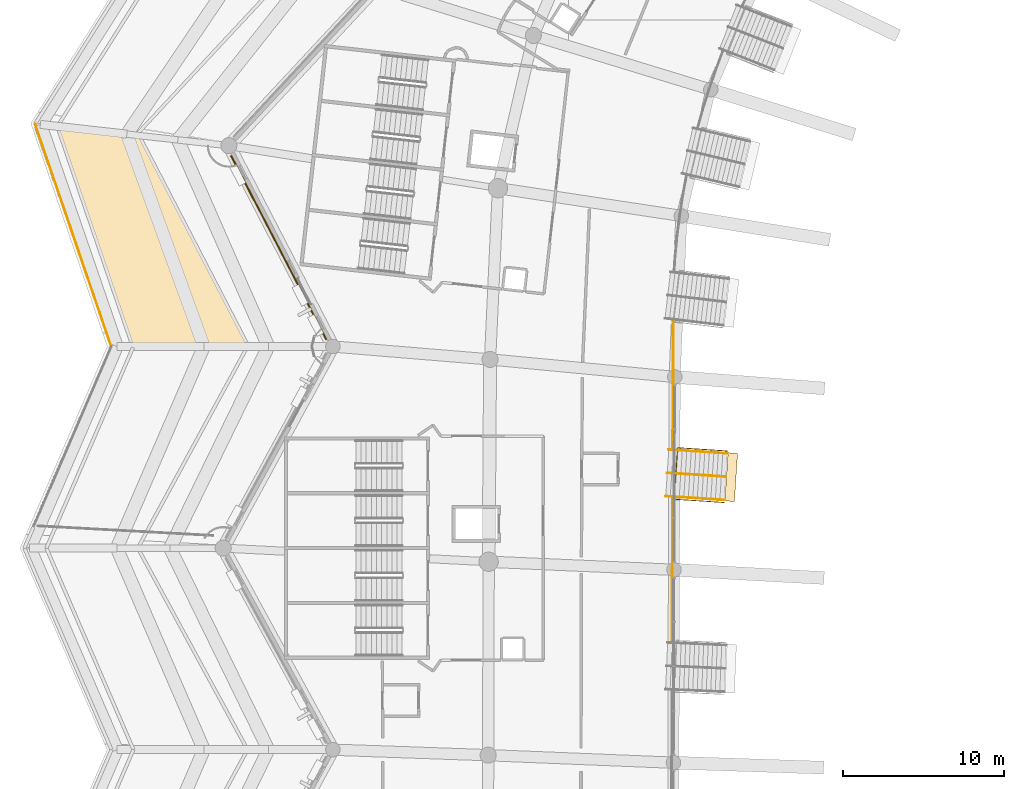
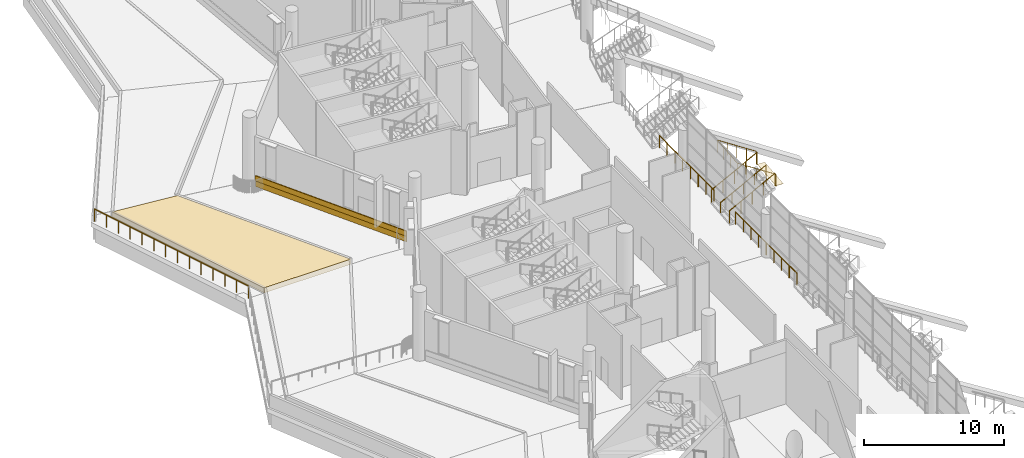
# One storey, part 145 of 173: 7 railings, 4 coverings.
"""IFC4 building model written with IfcOpenShell, lengths in metres."""

from ifc_helpers import new_model, si_unit, direction, frame, origin, origin_2d, place, context, subcontext, project, spatial, polyline, rectangle, circle, outline, extrude, material, layer, layer_set, type_object, element, save


model = new_model("IFC4")

# Units and contexts
model_context = context("Model", 3, precision=1e-05, world=origin(), true_north=direction((0.0, 1.0)))
body_context = subcontext(model_context, "Body", "Model", "MODEL_VIEW")
ifc_project = project(units=[si_unit("LENGTHUNIT", "METRE"), si_unit("AREAUNIT", "SQUARE_METRE"), si_unit("VOLUMEUNIT", "CUBIC_METRE"), si_unit("PLANEANGLEUNIT", "RADIAN"), si_unit("MASSUNIT", "GRAM", prefix="KILO")], contexts=[model_context])

# Site, building, storey
site_placement = place(None, origin())
site = spatial("IfcSite", under=ifc_project, at=site_placement, CompositionType="ELEMENT")
building_placement = place(site_placement, origin())
building = spatial("IfcBuilding", under=site, at=building_placement, Name="Meseta Stadium", CompositionType="ELEMENT")
storey_placement = place(building_placement, frame((0.0, 0.0, 18.0)))
storey = spatial("IfcBuildingStorey", under=building, at=storey_placement, Name="L03", CompositionType="ELEMENT", Elevation=18.0)

# Coverings
ifc_material_1 = material(Name="Guadarrama granite cladding", Category="masonry")
ifc_layer_1 = layer(ifc_material_1, 0.06005859375)
ifc_layer_set_1 = layer_set([ifc_layer_1], Name="Granite plinth cladding 60")
covering_type_1 = type_object("IfcCoveringType", Name="Granite plinth cladding 60", PredefinedType="CLADDING", material=ifc_layer_set_1)
covering_1_placement = place(storey_placement, frame((-97.951904296875, 49.8828125, 0.0), z_axis=(0.0, 0.0, 1.0), x_axis=(-0.46001538077, 0.887910946804, 0.0)))
element("IfcCovering", 1, at=covering_1_placement, inside=storey, type_object=covering_type_1, Name="Granite plinth L03 F28", PredefinedType="CLADDING", context=body_context, shape_type="SweptSolid", body=[
    extrude(rectangle(XDim=12.83544921875, YDim=0.06005859375, at=origin_2d()), origin(), (0.0, 0.0, 1.0), 0.5),
])
ifc_material_2 = material(Name="Planting soil")
ifc_layer_2 = layer(ifc_material_2, 0.449951171875)
ifc_layer_set_2 = layer_set([ifc_layer_2], Name="Planting soil 450")
covering_type_2 = type_object("IfcCoveringType", Name="Planting soil 450", PredefinedType="FLOORING", material=ifc_layer_set_2)
covering_2_placement = place(storey_placement, origin())
element("IfcCovering", 2, at=covering_2_placement, inside=storey, type_object=covering_type_2, Name="Roof garden planting bed 4.1 panel 03", PredefinedType="FLOORING", context=body_context, shape_type="SweptSolid", body=[
    extrude(outline(polyline([(-106.61328125, 56.82958984375), (-111.67919921875, 57.400390625), (-111.68310546875, 57.393798828125), (-107.0146484375, 43.75), (-99.8935546875, 43.75), (-99.864501953125, 43.80322265625), (-106.61328125, 56.82958984375)])), origin(), (0.0, 0.0, 1.0), 0.449951171875),
])

# Railings
ifc_material_3 = material(Name="Steel S355", Category="steel")
railing_type_1 = type_object("IfcRailingType", Name="Plate edge guard 1100", PredefinedType="GUARDRAIL", material=ifc_material_3)
railing_1_placement = place(storey_placement, frame((-73.48828125, 45.30859375, 0.0)))
element("IfcRailing", 3, at=railing_1_placement, inside=storey, type_object=railing_type_1, Name="L03 inner edge guard 30", PredefinedType="GUARDRAIL", context=body_context, shape_type="SweptSolid", body=[
    extrude(circle(Radius=0.02490234375, at=origin_2d()), frame((0.0, 0.0, 1.0751953125), z_axis=(-0.004512027757, -0.999989820751, 0.0), x_axis=(0.999989820751, -0.004512027757, 0.0)), (0.0, 0.0, 1.0), 7.845703125),
    extrude(circle(Radius=0.02001953125, at=origin_2d()), origin(), (0.0, 0.0, 1.0), 1.050048828125),
    extrude(circle(Radius=0.02001953125, at=origin_2d()), frame((-0.005126953125, -1.120849609375, 0.0)), (0.0, 0.0, 1.0), 1.050048828125),
    extrude(circle(Radius=0.02001953125, at=origin_2d()), frame((-0.010009765625, -2.24169921875, 0.0)), (0.0, 0.0, 1.0), 1.050048828125),
    extrude(circle(Radius=0.02001953125, at=origin_2d()), frame((-0.01513671875, -3.362548828125, 0.0)), (0.0, 0.0, 1.0), 1.050048828125),
    extrude(circle(Radius=0.02001953125, at=origin_2d()), frame((-0.020263671875, -4.483154296875, 0.0)), (0.0, 0.0, 1.0), 1.050048828125),
    extrude(circle(Radius=0.02001953125, at=origin_2d()), frame((-0.025390625, -5.60400390625, 0.0)), (0.0, 0.0, 1.0), 1.050048828125),
    extrude(circle(Radius=0.02001953125, at=origin_2d()), frame((-0.0302734375, -6.724853515625, 0.0)), (0.0, 0.0, 1.0), 1.050048828125),
    extrude(circle(Radius=0.02001953125, at=origin_2d()), frame((-0.035400390625, -7.845703125, 0.0)), (0.0, 0.0, 1.0), 1.050048828125),
])
railing_2_placement = place(storey_placement, frame((-73.535888671875, 34.31689453125, 0.0)))
element("IfcRailing", 4, at=railing_2_placement, inside=storey, type_object=railing_type_1, Name="L03 inner edge guard 31", PredefinedType="GUARDRAIL", context=body_context, shape_type="SweptSolid", body=[
    extrude(circle(Radius=0.02490234375, at=origin_2d()), frame((0.0, 0.0, 1.0751953125), z_axis=(-0.003239544414, -0.999994752662, 0.0), x_axis=(0.999994752662, -0.003239544414, 0.0)), (0.0, 0.0, 1.0), 8.8173828125),
    extrude(circle(Radius=0.02001953125, at=origin_2d()), origin(), (0.0, 0.0, 1.0), 1.050048828125),
    extrude(circle(Radius=0.02001953125, at=origin_2d()), frame((-0.003662109375, -1.10205078125, 0.0)), (0.0, 0.0, 1.0), 1.050048828125),
    extrude(circle(Radius=0.02001953125, at=origin_2d()), frame((-0.007080078125, -2.204345703125, 0.0)), (0.0, 0.0, 1.0), 1.050048828125),
    extrude(circle(Radius=0.02001953125, at=origin_2d()), frame((-0.0107421875, -3.306640625, 0.0)), (0.0, 0.0, 1.0), 1.050048828125),
    extrude(circle(Radius=0.02001953125, at=origin_2d()), frame((-0.01416015625, -4.40869140625, 0.0)), (0.0, 0.0, 1.0), 1.050048828125),
    extrude(circle(Radius=0.02001953125, at=origin_2d()), frame((-0.017822265625, -5.5107421875, 0.0)), (0.0, 0.0, 1.0), 1.050048828125),
    extrude(circle(Radius=0.02001953125, at=origin_2d()), frame((-0.021484375, -6.613037109375, 0.0)), (0.0, 0.0, 1.0), 1.050048828125),
    extrude(circle(Radius=0.02001953125, at=origin_2d()), frame((-0.02490234375, -7.71533203125, 0.0)), (0.0, 0.0, 1.0), 1.050048828125),
    extrude(circle(Radius=0.02001953125, at=origin_2d()), frame((-0.028564453125, -8.8173828125, 0.0)), (0.0, 0.0, 1.0), 1.050048828125),
])
ifc_material_4 = material(Name="Steel S355", Category="steel")
railing_type_2 = type_object("IfcRailingType", Name="Roof garden guard 1100", PredefinedType="GUARDRAIL", material=ifc_material_4)
railing_3_placement = place(storey_placement, frame((-108.332275390625, 43.739501953125, 0.0)))
element("IfcRailing", 5, at=railing_3_placement, inside=storey, type_object=railing_type_2, Name="Roof garden guard 4.21", PredefinedType="GUARDRAIL", context=body_context, shape_type="SweptSolid", body=[
    extrude(circle(Radius=0.02490234375, at=origin_2d()), frame((0.0, 0.0, 1.0751953125), z_axis=(-0.323736916721, 0.94614713906, 0.0), x_axis=(-0.94614713906, -0.323736916721, 0.0)), (0.0, 0.0, 1.0), 14.6015625),
    extrude(circle(Radius=0.02001953125, at=origin_2d()), origin(), (0.0, 0.0, 1.0), 1.050048828125),
    extrude(circle(Radius=0.02001953125, at=origin_2d()), frame((-0.363525390625, 1.062744140625, 0.0)), (0.0, 0.0, 1.0), 1.050048828125),
    extrude(circle(Radius=0.02001953125, at=origin_2d()), frame((-0.727294921875, 2.12548828125, 0.0)), (0.0, 0.0, 1.0), 1.050048828125),
    extrude(circle(Radius=0.02001953125, at=origin_2d()), frame((-1.0908203125, 3.188232421875, 0.0)), (0.0, 0.0, 1.0), 1.050048828125),
    extrude(circle(Radius=0.02001953125, at=origin_2d()), frame((-1.45458984375, 4.250732421875, 0.0)), (0.0, 0.0, 1.0), 1.050048828125),
    extrude(circle(Radius=0.02001953125, at=origin_2d()), frame((-1.818115234375, 5.3134765625, 0.0)), (0.0, 0.0, 1.0), 1.050048828125),
    extrude(circle(Radius=0.02001953125, at=origin_2d()), frame((-2.181640625, 6.376220703125, 0.0)), (0.0, 0.0, 1.0), 1.050048828125),
    extrude(circle(Radius=0.02001953125, at=origin_2d()), frame((-2.54541015625, 7.43896484375, 0.0)), (0.0, 0.0, 1.0), 1.050048828125),
    extrude(circle(Radius=0.02001953125, at=origin_2d()), frame((-2.908935546875, 8.501708984375, 0.0)), (0.0, 0.0, 1.0), 1.050048828125),
    extrude(circle(Radius=0.02001953125, at=origin_2d()), frame((-3.2724609375, 9.564453125, 0.0)), (0.0, 0.0, 1.0), 1.050048828125),
    extrude(circle(Radius=0.02001953125, at=origin_2d()), frame((-3.63623046875, 10.626953125, 0.0)), (0.0, 0.0, 1.0), 1.050048828125),
    extrude(circle(Radius=0.02001953125, at=origin_2d()), frame((-3.999755859375, 11.689697265625, 0.0)), (0.0, 0.0, 1.0), 1.050048828125),
    extrude(circle(Radius=0.02001953125, at=origin_2d()), frame((-4.363525390625, 12.75244140625, 0.0)), (0.0, 0.0, 1.0), 1.050048828125),
    extrude(circle(Radius=0.02001953125, at=origin_2d()), frame((-4.72705078125, 13.815185546875, 0.0)), (0.0, 0.0, 1.0), 1.050048828125),
])

# Coverings
ifc_material_5 = material(Name="Precast concrete C40/50, terracotta pigment", Category="masonry")
ifc_layer_3 = layer(ifc_material_5, 0.080078125)
ifc_layer_set_3 = layer_set([ifc_layer_3], Name="Precast concrete C40/50, terracotta pigment")
covering_type_3 = type_object("IfcCoveringType", Name="Terracotta precast band 80", PredefinedType="CLADDING", material=ifc_layer_set_3)
covering_3_placement = place(storey_placement, frame((-97.960693359375, 49.87841796875, 0.5), z_axis=(0.0, 0.0, 1.0), x_axis=(-0.46001538077, 0.887910946804, 0.0)))
element("IfcCovering", 6, at=covering_3_placement, inside=storey, type_object=covering_type_3, Name="Terracotta band L03 F28", PredefinedType="CLADDING", context=body_context, shape_type="SweptSolid", body=[
    extrude(rectangle(XDim=12.83544921875, YDim=0.080078125, at=origin_2d()), origin(), (0.0, 0.0, 1.0), 0.449951171875),
])
ifc_material_6 = material(Name="Stone paving", Category="masonry")
ifc_layer_4 = layer(ifc_material_6, 0.02001953125)
ifc_layer_set_4 = layer_set([ifc_layer_4], Name="Vomitory exit threshold plate 20")
covering_type_4 = type_object("IfcCoveringType", Name="Vomitory exit threshold plate 20", PredefinedType="FLOORING", material=ifc_layer_set_4)
covering_4_placement = place(storey_placement, frame((-69.90185546875, 35.651123046875, 2.2919921875), z_axis=(0.0, 0.0, 1.0), x_axis=(0.997842912451, -0.065646950207, 0.0)))
element("IfcCovering", 7, at=covering_4_placement, inside=storey, type_object=covering_type_4, Name="Vomitory V-upper-30 exit threshold", PredefinedType="FLOORING", context=body_context, shape_type="SweptSolid", body=[
    extrude(rectangle(XDim=0.60009765625, YDim=3.0, at=origin_2d()), origin(), (0.0, 0.0, 1.0), 0.02001953125),
])

# Railings
ifc_material_7 = material(Name="Steel S355", Category="steel")
railing_type_3 = type_object("IfcRailingType", Name="Vomitory slot guard 1100", PredefinedType="GUARDRAIL", material=ifc_material_7)
railing_4_placement = place(storey_placement, frame((-70.340087890625, 34.07666015625, 2.31201171875)))
element("IfcRailing", 8, at=railing_4_placement, inside=storey, type_object=railing_type_3, Name="Vomitory V-upper-30 slot guard", PredefinedType="GUARDRAIL", context=body_context, shape_type="SweptSolid", body=[
    extrude(circle(Radius=0.02490234375, at=origin_2d()), frame((0.0, 0.0, 1.0751953125), z_axis=(-0.846166868334, 0.055631965377, 0.530006335209), x_axis=(-0.065604221541, -0.997845722602, 0.0)), (0.0, 0.0, 1.0), 3.655517578125),
    extrude(circle(Radius=0.02490234375, at=origin_2d()), frame((-3.09326171875, 0.203369140625, 3.0126953125), z_axis=(0.065612573528, 0.997845173459, 0.0), x_axis=(-0.997845173459, 0.065612573528, 0.0)), (0.0, 0.0, 1.0), 3.199951171875),
    extrude(circle(Radius=0.02490234375, at=origin_2d()), frame((-2.88330078125, 3.396484375, 3.0126953125), z_axis=(0.846185833796, -0.055628821684, -0.529976385211), x_axis=(0.065599066313, 0.997846061524, 0.0)), (0.0, 0.0, 1.0), 3.65576171875),
    extrude(circle(Radius=0.02001953125, at=origin_2d()), origin(), (0.0, 0.0, 1.0), 1.050048828125),
    extrude(circle(Radius=0.02001953125, at=origin_2d()), frame((-0.7734375, 0.05078125, 0.484375)), (0.0, 0.0, 1.0), 1.050048828125),
    extrude(circle(Radius=0.02001953125, at=origin_2d()), frame((-1.546630859375, 0.1015625, 0.96875)), (0.0, 0.0, 1.0), 1.050048828125),
    extrude(circle(Radius=0.02001953125, at=origin_2d()), frame((-2.31982421875, 0.152587890625, 1.453125)), (0.0, 0.0, 1.0), 1.050048828125),
    extrude(circle(Radius=0.02001953125, at=origin_2d()), frame((-3.09326171875, 0.203369140625, 1.9375)), (0.0, 0.0, 1.0), 1.050048828125),
    extrude(circle(Radius=0.02001953125, at=origin_2d()), frame((-3.023193359375, 1.267822265625, 1.9375)), (0.0, 0.0, 1.0), 1.050048828125),
    extrude(circle(Radius=0.02001953125, at=origin_2d()), frame((-2.953369140625, 2.33203125, 1.9375)), (0.0, 0.0, 1.0), 1.050048828125),
    extrude(circle(Radius=0.02001953125, at=origin_2d()), frame((-2.88330078125, 3.396484375, 1.9375)), (0.0, 0.0, 1.0), 1.050048828125),
    extrude(circle(Radius=0.02001953125, at=origin_2d()), frame((-2.10986328125, 3.345703125, 1.453125)), (0.0, 0.0, 1.0), 1.050048828125),
    extrude(circle(Radius=0.02001953125, at=origin_2d()), frame((-1.33642578125, 3.294921875, 0.96875)), (0.0, 0.0, 1.0), 1.050048828125),
    extrude(circle(Radius=0.02001953125, at=origin_2d()), frame((-0.563232421875, 3.243896484375, 0.484375)), (0.0, 0.0, 1.0), 1.050048828125),
    extrude(circle(Radius=0.02001953125, at=origin_2d()), frame((0.210205078125, 3.193115234375, 0.0)), (0.0, 0.0, 1.0), 1.050048828125),
])
ifc_material_8 = material(Name="Steel S355", Category="steel")
railing_type_4 = type_object("IfcRailingType", Name="Vomitory stair guard 1100", PredefinedType="GUARDRAIL", material=ifc_material_8)
for number, where, name in (
    (9, (-73.77197265625, 37.35888671875, 0.1650390625), "Vomitory V-upper-30 guard left"),
    (10, (-73.96240234375, 34.465087890625, 0.1650390625), "Vomitory V-upper-30 guard right"),
):
    element("IfcRailing", number, at=place(storey_placement, frame(where)), inside=storey, type_object=railing_type_4, Name=name, PredefinedType="GUARDRAIL", context=body_context, shape_type="SweptSolid", body=[
        extrude(circle(Radius=0.02490234375, at=origin_2d()), frame((0.0, 0.0, 1.0751953125), z_axis=(0.859474164837, -0.056501023944, 0.508047039428), x_axis=(0.065597469305, 0.997846166511, 0.0)), (0.0, 0.0, 1.0), 4.225830078125),
        extrude(circle(Radius=0.02001953125, at=origin_2d()), origin(), (0.0, 0.0, 1.0), 1.050048828125),
        extrude(circle(Radius=0.02001953125, at=origin_2d()), frame((0.907958984375, -0.0595703125, 0.53662109375)), (0.0, 0.0, 1.0), 1.050048828125),
        extrude(circle(Radius=0.02001953125, at=origin_2d()), frame((1.81591796875, -0.119384765625, 1.073486328125)), (0.0, 0.0, 1.0), 1.050048828125),
        extrude(circle(Radius=0.02001953125, at=origin_2d()), frame((2.72412109375, -0.17919921875, 1.6103515625)), (0.0, 0.0, 1.0), 1.050048828125),
        extrude(circle(Radius=0.02001953125, at=origin_2d()), frame((3.632080078125, -0.23876953125, 2.14697265625)), (0.0, 0.0, 1.0), 1.050048828125),
    ])
ifc_material_9 = material(Name="Steel S355", Category="steel")
railing_type_5 = type_object("IfcRailingType", Name="Vomitory stair handrail 900", PredefinedType="HANDRAIL", material=ifc_material_9)
railing_5_placement = place(storey_placement, frame((-73.8671875, 35.912109375, 0.1650390625)))
element("IfcRailing", 11, at=railing_5_placement, inside=storey, type_object=railing_type_5, Name="Vomitory V-upper-30 central handrail", PredefinedType="HANDRAIL", context=body_context, shape_type="SweptSolid", body=[
    extrude(circle(Radius=0.02490234375, at=origin_2d()), frame((0.0, 0.0, 0.875), z_axis=(0.85947135794, -0.05655861124, 0.508045380233), x_axis=(0.065664253324, 0.997841773948, 0.0)), (0.0, 0.0, 1.0), 4.225830078125),
    extrude(circle(Radius=0.02001953125, at=origin_2d()), origin(), (0.0, 0.0, 1.0), 0.849853515625),
    extrude(circle(Radius=0.02001953125, at=origin_2d()), frame((0.907958984375, -0.059814453125, 0.53662109375)), (0.0, 0.0, 1.0), 0.849853515625),
    extrude(circle(Radius=0.02001953125, at=origin_2d()), frame((1.81591796875, -0.11962890625, 1.073486328125)), (0.0, 0.0, 1.0), 0.849853515625),
    extrude(circle(Radius=0.02001953125, at=origin_2d()), frame((2.72412109375, -0.17919921875, 1.6103515625)), (0.0, 0.0, 1.0), 0.849853515625),
    extrude(circle(Radius=0.02001953125, at=origin_2d()), frame((3.632080078125, -0.239013671875, 2.14697265625)), (0.0, 0.0, 1.0), 0.849853515625),
])

save(model, "model.ifc")
